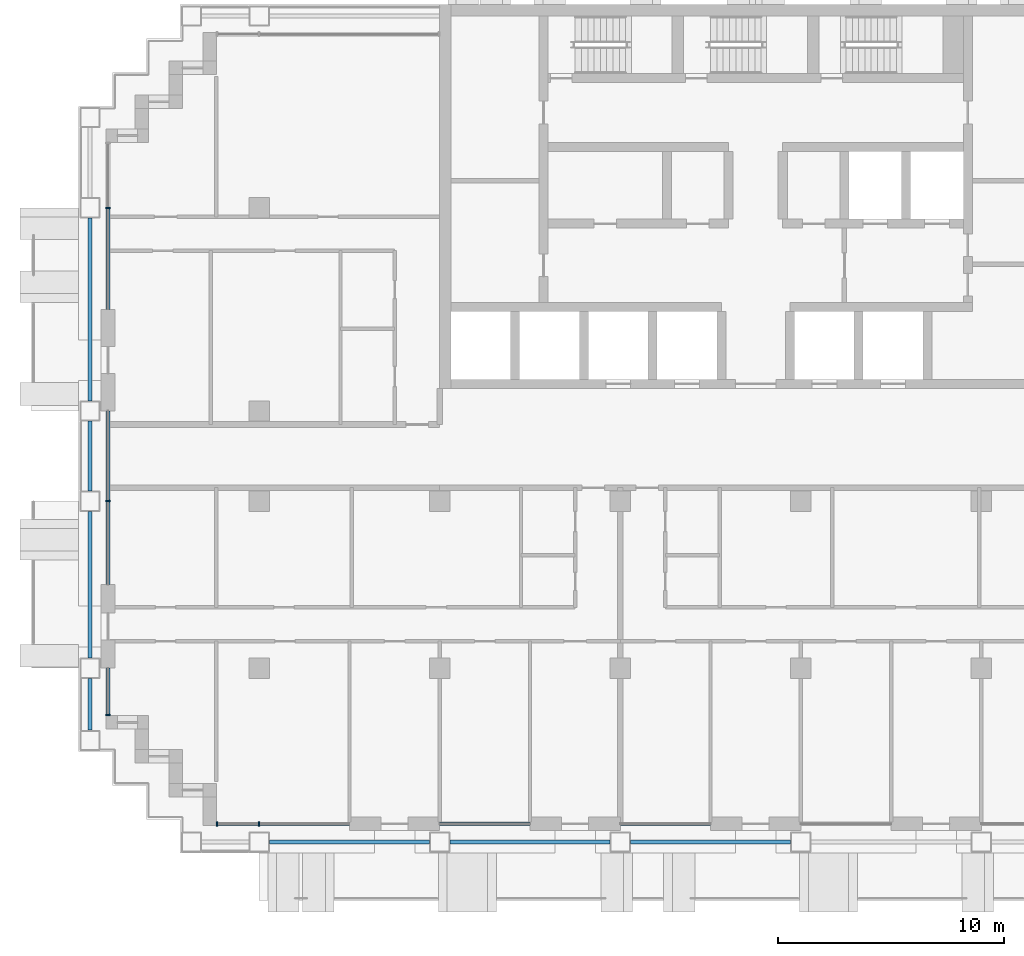
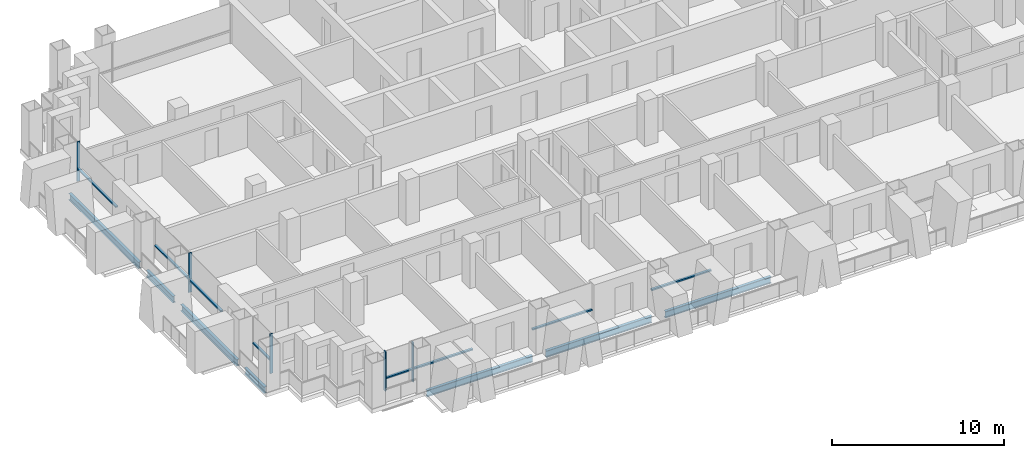
# One storey, part 2 of 18: 13 members, 7 beams, 6 elements without a shape of their own.
"""IFC4 building model written with IfcOpenShell, lengths in metres."""

from ifc_helpers import new_model, si_unit, direction, frame, origin, origin_2d, place, context, subcontext, project, spatial, rectangle, i_section, extrude, material, material_profile, profile_set, type_object, element, aggregate, save


model = new_model("IFC4")

# Units and contexts
model_context = context("Model", 3, precision=1e-05, world=origin(), true_north=direction((0.0, 1.0)))
body_context = subcontext(model_context, "Body", "Model", "MODEL_VIEW")
ifc_project = project(units=[si_unit("LENGTHUNIT", "METRE"), si_unit("AREAUNIT", "SQUARE_METRE"), si_unit("VOLUMEUNIT", "CUBIC_METRE"), si_unit("PLANEANGLEUNIT", "RADIAN"), si_unit("MASSUNIT", "GRAM", prefix="KILO")], contexts=[model_context])

# Site, building, storey
site_placement = place(None, origin())
site = spatial("IfcSite", under=ifc_project, at=site_placement, CompositionType="ELEMENT")
building_placement = place(site_placement, origin())
building = spatial("IfcBuilding", under=site, at=building_placement, Name="Vidyagriha Tower", CompositionType="ELEMENT")
storey_placement = place(building_placement, frame((0.0, 0.0, 103.10009765625)))
storey = spatial("IfcBuildingStorey", under=building, at=storey_placement, Name="L27", CompositionType="ELEMENT", Elevation=103.10009765625)

# Beams
ifc_material_1 = material(Name="Steel ASTM A992 Grade 50", Category="steel")
ifc_material_profile_1 = material_profile(ifc_material_1, i_section(OverallWidth=0.19189453125, OverallDepth=0.46240234375, WebThickness=0.010498046875, FlangeThickness=0.017578125, at=origin_2d()), Name="W18X60")
ifc_profile_set_1 = profile_set([ifc_material_profile_1], Name="Steel ASTM A992 Grade 50")
beam_type = type_object("IfcBeamType", Name="Edge beam W18X60", PredefinedType="SPANDREL", material=ifc_profile_set_1)
for number, where, z_axis, x_axis, name in (
    (1, (-21.550048828125, -17.10009765625, -0.51123046875), (1.0, 0.0, 0.0), (0.0, 1.0, 0.0), "st-beam-L27-S02"),
    (2, (-13.550048828125, -17.10009765625, -0.51123046875), (1.0, 0.0, 0.0), (0.0, 1.0, 0.0), "st-beam-L27-S03"),
    (3, (-5.550048828125, -17.10009765625, -0.51123046875), (1.0, 0.0, 0.0), (0.0, 1.0, 0.0), "st-beam-L27-S04"),
):
    element("IfcBeam", number, at=place(storey_placement, frame(where, z_axis=z_axis, x_axis=x_axis)), inside=storey, type_object=beam_type, Name=name, PredefinedType="SPANDREL", context=body_context, shape_type="SweptSolid", body=[
        extrude(i_section(OverallWidth=0.19189453125, OverallDepth=0.46240234375, WebThickness=0.010498046875, FlangeThickness=0.017578125, at=origin_2d()), origin(), (0.0, 0.0, 1.0), 7.10009765625),
    ])
beam_1_placement = place(storey_placement, frame((-29.5, -12.14990234375, -0.51123046875), z_axis=(0.0, 1.0, 0.0), x_axis=(-1.0, 0.0, 0.0)))
element("IfcBeam", 4, at=beam_1_placement, inside=storey, type_object=beam_type, Name="st-beam-L27-W10", PredefinedType="SPANDREL", context=body_context, shape_type="SweptSolid", body=[
    extrude(i_section(OverallWidth=0.19189453125, OverallDepth=0.46240234375, WebThickness=0.010498046875, FlangeThickness=0.017578125, at=origin_2d()), origin(), (0.0, 0.0, 1.0), 2.2998046875),
])
beam_2_placement = place(storey_placement, frame((-29.5, -8.949951171875, -0.51123046875), z_axis=(0.0, 1.0, 0.0), x_axis=(-1.0, 0.0, 0.0)))
element("IfcBeam", 5, at=beam_2_placement, inside=storey, type_object=beam_type, Name="st-beam-L27-W11", PredefinedType="SPANDREL", context=body_context, shape_type="SweptSolid", body=[
    extrude(i_section(OverallWidth=0.19189453125, OverallDepth=0.46240234375, WebThickness=0.010498046875, FlangeThickness=0.017578125, at=origin_2d()), origin(), (0.0, 0.0, 1.0), 6.5),
])
beam_3_placement = place(storey_placement, frame((-29.5, -1.550048828125, -0.51123046875), z_axis=(0.0, 1.0, 0.0), x_axis=(-1.0, 0.0, 0.0)))
element("IfcBeam", 6, at=beam_3_placement, inside=storey, type_object=beam_type, Name="st-beam-L27-W12", PredefinedType="SPANDREL", context=body_context, shape_type="SweptSolid", body=[
    extrude(i_section(OverallWidth=0.19189453125, OverallDepth=0.46240234375, WebThickness=0.010498046875, FlangeThickness=0.017578125, at=origin_2d()), origin(), (0.0, 0.0, 1.0), 3.10009765625),
])
beam_4_placement = place(storey_placement, frame((-29.5, 2.449951171875, -0.51123046875), z_axis=(0.0, 1.0, 0.0), x_axis=(-1.0, 0.0, 0.0)))
element("IfcBeam", 7, at=beam_4_placement, inside=storey, type_object=beam_type, Name="st-beam-L27-W13", PredefinedType="SPANDREL", context=body_context, shape_type="SweptSolid", body=[
    extrude(i_section(OverallWidth=0.19189453125, OverallDepth=0.46240234375, WebThickness=0.010498046875, FlangeThickness=0.017578125, at=origin_2d()), origin(), (0.0, 0.0, 1.0), 8.10009765625),
])

# Curtain wall, member
ifc_material_2 = material(Name="Aluminium and glass curtain wall", Category="aluminium")
curtain_wall_type = type_object("IfcCurtainWallType", Name="Dwelling skin unitised curtain wall", PredefinedType="USERDEFINED", material=ifc_material_2)
curtain_wall_1_placement = place(storey_placement, origin())
curtain_wall_1 = element("IfcCurtainWall", 8, at=curtain_wall_1_placement, inside=storey, type_object=curtain_wall_type, Name="CW1 dwelling skin", ObjectType="UNITISED", PredefinedType="USERDEFINED")
ifc_material_3 = material(Name="Aluminium black anodised", Category="aluminium")
ifc_material_profile_2 = material_profile(ifc_material_3, rectangle(XDim=0.199951171875, YDim=0.070068359375, at=origin_2d()), Name="Mullion 70x200 black aluminium")
ifc_profile_set_2 = profile_set([ifc_material_profile_2], Name="Aluminium black anodised")
member_type_1 = type_object("IfcMemberType", Name="Mullion 70x200 black aluminium", PredefinedType="MULLION", material=ifc_profile_set_2)
member_1_placement = place(storey_placement, frame((-28.699951171875, 11.0, 0.0)))
member_1 = element("IfcMember", 9, at=member_1_placement, type_object=member_type_1, Name="CW1 mullion 2", PredefinedType="MULLION", context=body_context, shape_type="SweptSolid", body=[
    extrude(rectangle(XDim=0.199951171875, YDim=0.070068359375, at=origin_2d()), origin(), (0.0, 0.0, 1.0), 2.7998046875),
])

curtain_wall_2_placement = place(storey_placement, origin())
curtain_wall_2 = element("IfcCurtainWall", 10, at=curtain_wall_2_placement, inside=storey, type_object=curtain_wall_type, Name="CW1 dwelling skin", ObjectType="UNITISED", PredefinedType="USERDEFINED")
member_2_placement = place(storey_placement, frame((-28.699951171875, -2.0, 0.0)))
member_2 = element("IfcMember", 11, at=member_2_placement, type_object=member_type_1, Name="CW1 mullion 2", PredefinedType="MULLION", context=body_context, shape_type="SweptSolid", body=[
    extrude(rectangle(XDim=0.199951171875, YDim=0.070068359375, at=origin_2d()), origin(), (0.0, 0.0, 1.0), 2.7998046875),
])

curtain_wall_3_placement = place(storey_placement, origin())
curtain_wall_3 = element("IfcCurtainWall", 12, at=curtain_wall_3_placement, inside=storey, type_object=curtain_wall_type, Name="CW1 dwelling skin", ObjectType="UNITISED", PredefinedType="USERDEFINED")
member_3_placement = place(storey_placement, frame((-28.699951171875, -11.465087890625, 0.0)))
member_3 = element("IfcMember", 13, at=member_3_placement, type_object=member_type_1, Name="CW1 mullion 2", PredefinedType="MULLION", context=body_context, shape_type="SweptSolid", body=[
    extrude(rectangle(XDim=0.199951171875, YDim=0.070068359375, at=origin_2d()), origin(), (0.0, 0.0, 1.0), 2.7998046875),
])

# Curtain wall, members
curtain_wall_4_placement = place(storey_placement, origin())
curtain_wall_4 = element("IfcCurtainWall", 14, at=curtain_wall_4_placement, inside=storey, type_object=curtain_wall_type, Name="CW1 dwelling skin", ObjectType="UNITISED", PredefinedType="USERDEFINED")
member_4_placement = place(storey_placement, frame((-23.864990234375, -16.300048828125, 0.0), z_axis=(0.0, 0.0, 1.0), x_axis=(0.0, 1.0, 0.0)))
member_4 = element("IfcMember", 15, at=member_4_placement, type_object=member_type_1, Name="CW1 mullion 1", PredefinedType="MULLION", context=body_context, shape_type="SweptSolid", body=[
    extrude(rectangle(XDim=0.199951171875, YDim=0.070068359375, at=origin_2d()), origin(), (0.0, 0.0, 1.0), 2.7998046875),
])
member_5_placement = place(storey_placement, frame((-22.0, -16.300048828125, 0.0), z_axis=(0.0, 0.0, 1.0), x_axis=(0.0, 1.0, 0.0)))
member_5 = element("IfcMember", 16, at=member_5_placement, type_object=member_type_1, Name="CW1 mullion 2", PredefinedType="MULLION", context=body_context, shape_type="SweptSolid", body=[
    extrude(rectangle(XDim=0.199951171875, YDim=0.070068359375, at=origin_2d()), origin(), (0.0, 0.0, 1.0), 2.7998046875),
])

# Member
ifc_material_4 = material(Name="Aluminium black anodised", Category="aluminium")
ifc_material_profile_3 = material_profile(ifc_material_4, rectangle(XDim=0.159912109375, YDim=0.10009765625, at=origin_2d()), Name="Transom 100x160 black aluminium")
ifc_profile_set_3 = profile_set([ifc_material_profile_3], Name="Aluminium black anodised")
member_type_2 = type_object("IfcMemberType", Name="Transom 100x160 black aluminium", PredefinedType="USERDEFINED", material=ifc_profile_set_3)
member_6_placement = place(storey_placement, frame((-28.699951171875, 10.965087890625, 0.89990234375), z_axis=(0.0, -1.0, 0.0), x_axis=(1.0, 0.0, 0.0)))
member_6 = element("IfcMember", 17, at=member_6_placement, type_object=member_type_2, Name="CW1 transom 2.1", ObjectType="TRANSOM", PredefinedType="USERDEFINED", context=body_context, shape_type="SweptSolid", body=[
    extrude(rectangle(XDim=0.159912109375, YDim=0.10009765625, at=origin_2d()), origin(), (0.0, 0.0, 1.0), 4.465087890625),
])

aggregate(curtain_wall_1, [member_1, member_6])

member_7_placement = place(storey_placement, frame((-28.699951171875, 2.0, 0.89990234375), z_axis=(0.0, -1.0, 0.0), x_axis=(1.0, 0.0, 0.0)))
member_7 = element("IfcMember", 18, at=member_7_placement, type_object=member_type_2, Name="CW1 transom 1.1", ObjectType="TRANSOM", PredefinedType="USERDEFINED", context=body_context, shape_type="SweptSolid", body=[
    extrude(rectangle(XDim=0.159912109375, YDim=0.10009765625, at=origin_2d()), origin(), (0.0, 0.0, 1.0), 3.965087890625),
])

member_8_placement = place(storey_placement, frame((-28.699951171875, -2.034912109375, 0.89990234375), z_axis=(0.0, -1.0, 0.0), x_axis=(1.0, 0.0, 0.0)))
member_8 = element("IfcMember", 19, at=member_8_placement, type_object=member_type_2, Name="CW1 transom 2.1", ObjectType="TRANSOM", PredefinedType="USERDEFINED", context=body_context, shape_type="SweptSolid", body=[
    extrude(rectangle(XDim=0.159912109375, YDim=0.10009765625, at=origin_2d()), origin(), (0.0, 0.0, 1.0), 3.6650390625),
])

aggregate(curtain_wall_2, [member_2, member_7, member_8])

member_9_placement = place(storey_placement, frame((-28.699951171875, -9.39990234375, 0.89990234375), z_axis=(0.0, -1.0, 0.0), x_axis=(1.0, 0.0, 0.0)))
member_9 = element("IfcMember", 20, at=member_9_placement, type_object=member_type_2, Name="CW1 transom 1.1", ObjectType="TRANSOM", PredefinedType="USERDEFINED", context=body_context, shape_type="SweptSolid", body=[
    extrude(rectangle(XDim=0.159912109375, YDim=0.10009765625, at=origin_2d()), origin(), (0.0, 0.0, 1.0), 2.030029296875),
])

aggregate(curtain_wall_3, [member_3, member_9])

member_10_placement = place(storey_placement, frame((-23.830078125, -16.300048828125, 0.89990234375), z_axis=(1.0, 0.0, 0.0), x_axis=(0.0, 1.0, 0.0)))
member_10 = element("IfcMember", 21, at=member_10_placement, type_object=member_type_2, Name="CW1 transom 1.1", ObjectType="TRANSOM", PredefinedType="USERDEFINED", context=body_context, shape_type="SweptSolid", body=[
    extrude(rectangle(XDim=0.159912109375, YDim=0.10009765625, at=origin_2d()), origin(), (0.0, 0.0, 1.0), 1.795166015625),
])

member_11_placement = place(storey_placement, frame((-21.965087890625, -16.300048828125, 0.89990234375), z_axis=(1.0, 0.0, 0.0), x_axis=(0.0, 1.0, 0.0)))
member_11 = element("IfcMember", 22, at=member_11_placement, type_object=member_type_2, Name="CW1 transom 2.1", ObjectType="TRANSOM", PredefinedType="USERDEFINED", context=body_context, shape_type="SweptSolid", body=[
    extrude(rectangle(XDim=0.159912109375, YDim=0.10009765625, at=origin_2d()), origin(), (0.0, 0.0, 1.0), 3.965087890625),
])

aggregate(curtain_wall_4, [member_4, member_5, member_10, member_11])

# Curtain wall, member
curtain_wall_5_placement = place(storey_placement, origin())
curtain_wall_5 = element("IfcCurtainWall", 23, at=curtain_wall_5_placement, inside=storey, type_object=curtain_wall_type, Name="CW1 dwelling skin", ObjectType="UNITISED", PredefinedType="USERDEFINED")
member_12_placement = place(storey_placement, frame((-14.0, -16.300048828125, 0.89990234375), z_axis=(1.0, 0.0, 0.0), x_axis=(0.0, 1.0, 0.0)))
member_12 = element("IfcMember", 24, at=member_12_placement, type_object=member_type_2, Name="CW1 transom 1.1", ObjectType="TRANSOM", PredefinedType="USERDEFINED", context=body_context, shape_type="SweptSolid", body=[
    extrude(rectangle(XDim=0.159912109375, YDim=0.10009765625, at=origin_2d()), origin(), (0.0, 0.0, 1.0), 4.0),
])
aggregate(curtain_wall_5, [member_12])

curtain_wall_6_placement = place(storey_placement, origin())
curtain_wall_6 = element("IfcCurtainWall", 25, at=curtain_wall_6_placement, inside=storey, type_object=curtain_wall_type, Name="CW1 dwelling skin", ObjectType="UNITISED", PredefinedType="USERDEFINED")
member_13_placement = place(storey_placement, frame((-6.0, -16.300048828125, 0.89990234375), z_axis=(1.0, 0.0, 0.0), x_axis=(0.0, 1.0, 0.0)))
member_13 = element("IfcMember", 26, at=member_13_placement, type_object=member_type_2, Name="CW1 transom 1.1", ObjectType="TRANSOM", PredefinedType="USERDEFINED", context=body_context, shape_type="SweptSolid", body=[
    extrude(rectangle(XDim=0.159912109375, YDim=0.10009765625, at=origin_2d()), origin(), (0.0, 0.0, 1.0), 4.0),
])
aggregate(curtain_wall_6, [member_13])

save(model, "model.ifc")
